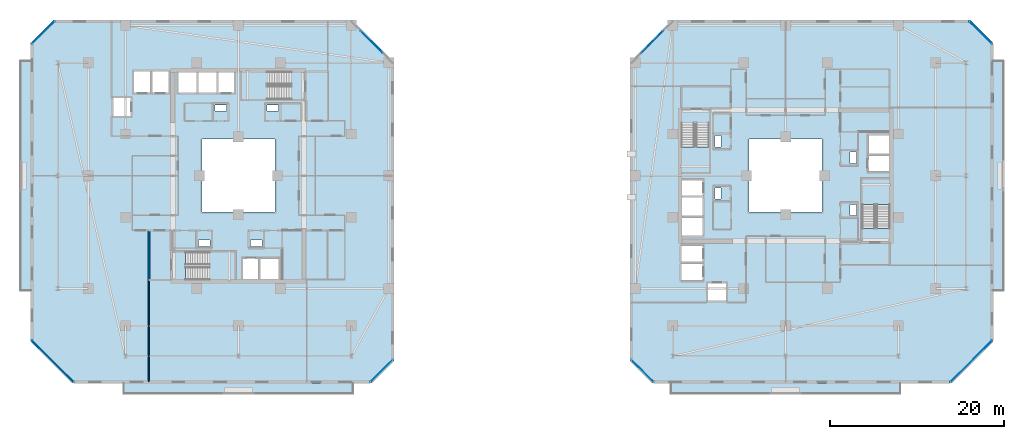
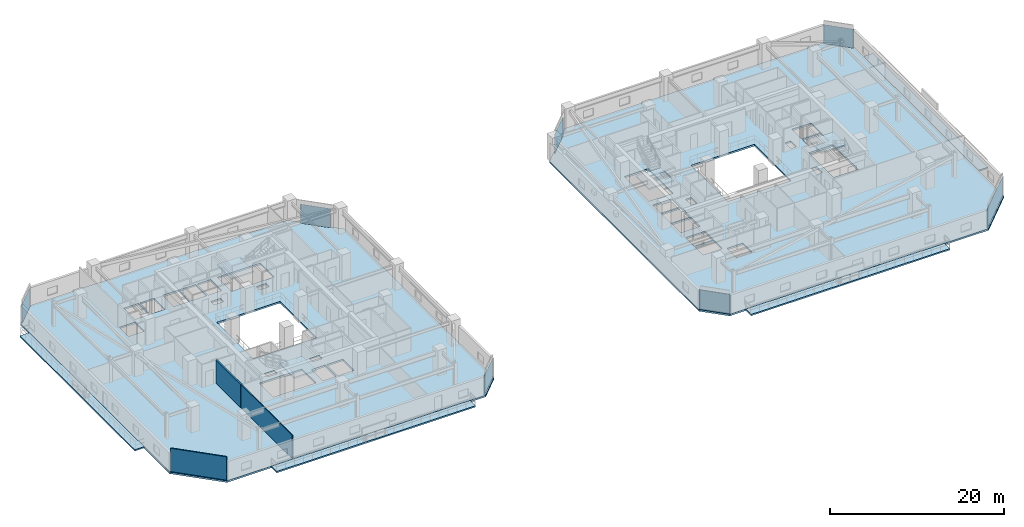
# One storey, part 17 of 34: 10 slabs, 8 plates, 3 walls, 12 elements without a shape of their own.
"""IFC4 building model written with IfcOpenShell, lengths in metres."""

from ifc_helpers import new_model, si_unit, direction, frame, frame_2d, origin, origin_2d, place, context, subcontext, project, spatial, polyline, rectangle, outline, extrude, material, layer, layer_set, type_object, element, aggregate, save


model = new_model("IFC4")

# Units and contexts
model_context = context("Model", 3, precision=1e-05, world=origin(), true_north=direction((0.0, 1.0)))
body_context = subcontext(model_context, "Body", "Model", "MODEL_VIEW")
ifc_project = project(units=[si_unit("LENGTHUNIT", "METRE"), si_unit("AREAUNIT", "SQUARE_METRE"), si_unit("VOLUMEUNIT", "CUBIC_METRE"), si_unit("PLANEANGLEUNIT", "RADIAN"), si_unit("MASSUNIT", "GRAM", prefix="KILO")], contexts=[model_context])

# Site, building, storey
site_placement = place(None, origin())
site = spatial("IfcSite", under=ifc_project, at=site_placement, CompositionType="ELEMENT")
building_placement = place(site_placement, origin())
building = spatial("IfcBuilding", under=site, at=building_placement, Name="Thornwick Lancets Civic Towers", CompositionType="ELEMENT")
storey_placement = place(building_placement, frame((0.0, 0.0, 137.699951171875)))
storey = spatial("IfcBuildingStorey", under=building, at=storey_placement, Name="L36", CompositionType="ELEMENT", Elevation=137.699951171875)

# Curtain wall, plate
ifc_material_1 = material(Name="Mid-zone chamfered-corner unitised glass curtain wall", Category="glass")
curtain_wall_type = type_object("IfcCurtainWallType", Name="CW_SYS_04", PredefinedType="NOTDEFINED", material=ifc_material_1)
curtain_wall_1_placement = place(storey_placement, origin())
curtain_wall_1 = element("IfcCurtainWall", 1, at=curtain_wall_1_placement, inside=storey, type_object=curtain_wall_type, Name="L36 Curtain Wall CW-L36-A-E1", PredefinedType="NOTDEFINED")
ifc_material_2 = material(Name="Low-e double glazing clear glass", Category="glass")
ifc_layer_1 = layer(ifc_material_2, 0.035888671875, Name="Low-e double glazing clear glass")
ifc_layer_set_1 = layer_set([ifc_layer_1], Name="Low-e double glazing clear glass")
plate_type = type_object("IfcPlateType", Name="CW_PNL_GLASS", PredefinedType="CURTAIN_PANEL", material=ifc_layer_set_1)
plate_1_placement = place(storey_placement, frame((41.972900390625, 4.527099609375, 0.0), z_axis=(0.0, 0.0, 1.0), x_axis=(0.707106781187, 0.707106781187, 0.0)))
plate_1 = element("IfcPlate", 2, at=plate_1_placement, type_object=plate_type, Name="CW-L36-A-E1 Panel 0", PredefinedType="CURTAIN_PANEL", context=body_context, shape_type="SweptSolid", body=[
    extrude(rectangle(XDim=3.649169921875, YDim=0.035888671875, at=origin_2d()), origin(), (0.0, 0.0, 1.0), 2.659912109375),
])
aggregate(curtain_wall_1, [plate_1])

curtain_wall_2_placement = place(storey_placement, origin())
curtain_wall_2 = element("IfcCurtainWall", 3, at=curtain_wall_2_placement, inside=storey, type_object=curtain_wall_type, Name="L36 Curtain Wall CW-L36-A-E3", PredefinedType="NOTDEFINED")
plate_2_placement = place(storey_placement, frame((40.8662109375, 42.3662109375, 0.0), z_axis=(0.0, 0.0, 1.0), x_axis=(-0.707106781187, 0.707106781187, 0.0)))
plate_2 = element("IfcPlate", 4, at=plate_2_placement, type_object=plate_type, Name="CW-L36-A-E3 Panel 0", PredefinedType="CURTAIN_PANEL", context=body_context, shape_type="SweptSolid", body=[
    extrude(rectangle(XDim=3.5771484375, YDim=0.035888671875, at=origin_2d()), origin(), (0.0, 0.0, 1.0), 2.659912109375),
])
aggregate(curtain_wall_2, [plate_2])

curtain_wall_3_placement = place(storey_placement, origin())
curtain_wall_3 = element("IfcCurtainWall", 5, at=curtain_wall_3_placement, inside=storey, type_object=curtain_wall_type, Name="L36 Curtain Wall CW-L36-A-E5", PredefinedType="NOTDEFINED")
plate_3_placement = place(storey_placement, frame((3.027099609375, 43.472900390625, 0.0), z_axis=(0.0, 0.0, 1.0), x_axis=(-0.707106781187, -0.707106781187, 0.0)))
plate_3 = element("IfcPlate", 6, at=plate_3_placement, type_object=plate_type, Name="CW-L36-A-E5 Panel 0", PredefinedType="CURTAIN_PANEL", context=body_context, shape_type="SweptSolid", body=[
    extrude(rectangle(XDim=3.649169921875, YDim=0.035888671875, at=origin_2d()), origin(), (0.0, 0.0, 1.0), 2.659912109375),
])
aggregate(curtain_wall_3, [plate_3])

curtain_wall_4_placement = place(storey_placement, origin())
curtain_wall_4 = element("IfcCurtainWall", 7, at=curtain_wall_4_placement, inside=storey, type_object=curtain_wall_type, Name="L36 Curtain Wall CW-L36-A-E7", PredefinedType="NOTDEFINED")
plate_4_placement = place(storey_placement, frame((4.1337890625, 5.6337890625, 0.0), z_axis=(0.0, 0.0, 1.0), x_axis=(0.707106781187, -0.707106781187, 0.0)))
plate_4 = element("IfcPlate", 8, at=plate_4_placement, type_object=plate_type, Name="CW-L36-A-E7 Panel 0", PredefinedType="CURTAIN_PANEL", context=body_context, shape_type="SweptSolid", body=[
    extrude(rectangle(XDim=6.759033203125, YDim=0.035888671875, at=origin_2d()), origin(), (0.0, 0.0, 1.0), 2.659912109375),
])
aggregate(curtain_wall_4, [plate_4])

curtain_wall_5_placement = place(storey_placement, origin())
curtain_wall_5 = element("IfcCurtainWall", 9, at=curtain_wall_5_placement, inside=storey, type_object=curtain_wall_type, Name="L36 Curtain Wall CW-L36-B-E1", PredefinedType="NOTDEFINED")
plate_5_placement = place(storey_placement, frame((109.8662109375, 5.6337890625, 0.0), z_axis=(0.0, 0.0, 1.0), x_axis=(0.707106781187, 0.707106781187, 0.0)))
plate_5 = element("IfcPlate", 10, at=plate_5_placement, type_object=plate_type, Name="CW-L36-B-E1 Panel 0", PredefinedType="CURTAIN_PANEL", context=body_context, shape_type="SweptSolid", body=[
    extrude(rectangle(XDim=6.759033203125, YDim=0.035888671875, at=origin_2d()), origin(), (0.0, 0.0, 1.0), 2.659912109375),
])
aggregate(curtain_wall_5, [plate_5])

curtain_wall_6_placement = place(storey_placement, origin())
curtain_wall_6 = element("IfcCurtainWall", 11, at=curtain_wall_6_placement, inside=storey, type_object=curtain_wall_type, Name="L36 Curtain Wall CW-L36-B-E3", PredefinedType="NOTDEFINED")
plate_6_placement = place(storey_placement, frame((110.972900390625, 43.472900390625, 0.0), z_axis=(0.0, 0.0, 1.0), x_axis=(-0.707106781187, 0.707106781187, 0.0)))
plate_6 = element("IfcPlate", 12, at=plate_6_placement, type_object=plate_type, Name="CW-L36-B-E3 Panel 0", PredefinedType="CURTAIN_PANEL", context=body_context, shape_type="SweptSolid", body=[
    extrude(rectangle(XDim=3.649169921875, YDim=0.035888671875, at=origin_2d()), origin(), (0.0, 0.0, 1.0), 2.659912109375),
])
aggregate(curtain_wall_6, [plate_6])

curtain_wall_7_placement = place(storey_placement, origin())
curtain_wall_7 = element("IfcCurtainWall", 13, at=curtain_wall_7_placement, inside=storey, type_object=curtain_wall_type, Name="L36 Curtain Wall CW-L36-B-E5", PredefinedType="NOTDEFINED")
plate_7_placement = place(storey_placement, frame((73.1337890625, 42.3662109375, 0.0), z_axis=(0.0, 0.0, 1.0), x_axis=(-0.707106781187, -0.707106781187, 0.0)))
plate_7 = element("IfcPlate", 14, at=plate_7_placement, type_object=plate_type, Name="CW-L36-B-E5 Panel 0", PredefinedType="CURTAIN_PANEL", context=body_context, shape_type="SweptSolid", body=[
    extrude(rectangle(XDim=3.5771484375, YDim=0.035888671875, at=origin_2d()), origin(), (0.0, 0.0, 1.0), 2.659912109375),
])
aggregate(curtain_wall_7, [plate_7])

curtain_wall_8_placement = place(storey_placement, origin())
curtain_wall_8 = element("IfcCurtainWall", 15, at=curtain_wall_8_placement, inside=storey, type_object=curtain_wall_type, Name="L36 Curtain Wall CW-L36-B-E7", PredefinedType="NOTDEFINED")
plate_8_placement = place(storey_placement, frame((72.027099609375, 4.527099609375, 0.0), z_axis=(0.0, 0.0, 1.0), x_axis=(0.707106781187, -0.707106781187, 0.0)))
plate_8 = element("IfcPlate", 16, at=plate_8_placement, type_object=plate_type, Name="CW-L36-B-E7 Panel 0", PredefinedType="CURTAIN_PANEL", context=body_context, shape_type="SweptSolid", body=[
    extrude(rectangle(XDim=3.649169921875, YDim=0.035888671875, at=origin_2d()), origin(), (0.0, 0.0, 1.0), 2.659912109375),
])
aggregate(curtain_wall_8, [plate_8])

# Slabs
ifc_material_3 = material(Name="Post-tensioned concrete C40/50", Category="concrete")
ifc_layer_2 = layer(ifc_material_3, 0.199951171875, Name="Post-tensioned concrete C40/50")
ifc_layer_set_2 = layer_set([ifc_layer_2], Name="Post-tensioned concrete C40/50")
slab_type_1 = type_object("IfcSlabType", Name="SLAB_BALCONY_200", PredefinedType="FLOOR", material=ifc_layer_set_2)
slab_1_placement = place(storey_placement, frame((0.0, 0.0, -0.199951171875)))
element("IfcSlab", 17, at=slab_1_placement, inside=storey, type_object=slab_type_1, Name="L36 Tower A Planted Balcony Slab W", PredefinedType="FLOOR", context=body_context, shape_type="SweptSolid", body=[
    extrude(outline(polyline([(0.35009765625, 13.800048828125), (1.60009765625, 13.800048828125), (1.60009765625, 40.199951171875), (0.35009765625, 40.199951171875), (0.35009765625, 13.800048828125)])), origin(), (0.0, 0.0, 1.0), 0.199951171875),
])
slab_2_placement = place(storey_placement, frame((0.0, 0.0, -0.199951171875)))
element("IfcSlab", 18, at=slab_2_placement, inside=storey, type_object=slab_type_1, Name="L36 Tower A Planted Balcony Slab S", PredefinedType="FLOOR", context=body_context, shape_type="SweptSolid", body=[
    extrude(outline(polyline([(12.300048828125, 1.85009765625), (38.699951171875, 1.85009765625), (38.699951171875, 3.10009765625), (12.300048828125, 3.10009765625), (12.300048828125, 1.85009765625)])), origin(), (0.0, 0.0, 1.0), 0.199951171875),
])
slab_3_placement = place(storey_placement, frame((0.0, 0.0, -0.199951171875)))
element("IfcSlab", 19, at=slab_3_placement, inside=storey, type_object=slab_type_1, Name="L36 Tower B Planted Balcony Slab E", PredefinedType="FLOOR", context=body_context, shape_type="SweptSolid", body=[
    extrude(outline(polyline([(112.39990234375, 13.800048828125), (113.64990234375, 13.800048828125), (113.64990234375, 40.199951171875), (112.39990234375, 40.199951171875), (112.39990234375, 13.800048828125)])), origin(), (0.0, 0.0, 1.0), 0.199951171875),
])
slab_4_placement = place(storey_placement, frame((0.0, 0.0, -0.199951171875)))
element("IfcSlab", 20, at=slab_4_placement, inside=storey, type_object=slab_type_1, Name="L36 Tower B Planted Balcony Slab S", PredefinedType="FLOOR", context=body_context, shape_type="SweptSolid", body=[
    extrude(outline(polyline([(75.300048828125, 1.85009765625), (101.699951171875, 1.85009765625), (101.699951171875, 3.10009765625), (75.300048828125, 3.10009765625), (75.300048828125, 1.85009765625)])), origin(), (0.0, 0.0, 1.0), 0.199951171875),
])

# Stair, slab
ifc_material_4 = material(Name="Concrete C40/50", Category="concrete")
stair_type = type_object("IfcStairType", Name="STAIR_DL_3600", PredefinedType="HALF_TURN_STAIR", material=ifc_material_4)
stair_1_placement = place(storey_placement, origin())
stair_1 = element("IfcStair", 21, at=stair_1_placement, inside=storey, type_object=stair_type, Name="L36 Tower A South Exit Stair ST-A1", PredefinedType="HALF_TURN_STAIR")
ifc_layer_3 = layer(ifc_material_4, 0.25, Name="Concrete C40/50")
ifc_layer_set_3 = layer_set([ifc_layer_3], Name="Concrete C40/50")
slab_type_2 = type_object("IfcSlabType", Name="SLAB_LANDING_200", PredefinedType="LANDING", material=ifc_layer_set_3)
slab_5_placement = place(storey_placement, frame((0.0, 0.0, 1.60302734375)))
slab_5 = element("IfcSlab", 22, at=slab_5_placement, type_object=slab_type_2, Name="ST-A1 landing 1", PredefinedType="LANDING", context=body_context, shape_type="SweptSolid", body=[
    extrude(outline(polyline([(22.169921875, 14.93994140625), (25.14990234375, 14.93994140625), (25.14990234375, 18.260009765625), (22.169921875, 18.260009765625), (22.169921875, 14.93994140625)])), origin(), (0.0, 0.0, 1.0), 0.199951171875),
])
aggregate(stair_1, [slab_5])

stair_2_placement = place(storey_placement, origin())
stair_2 = element("IfcStair", 23, at=stair_2_placement, inside=storey, type_object=stair_type, Name="L36 Tower A North Exit Stair ST-A2", PredefinedType="HALF_TURN_STAIR")
slab_6_placement = place(storey_placement, frame((0.0, 0.0, 1.60302734375)))
slab_6 = element("IfcSlab", 24, at=slab_6_placement, type_object=slab_type_2, Name="ST-A2 landing 1", PredefinedType="LANDING", context=body_context, shape_type="SweptSolid", body=[
    extrude(outline(polyline([(28.830078125, 39.06005859375), (25.85009765625, 39.06005859375), (25.85009765625, 35.739990234375), (28.830078125, 35.739990234375), (28.830078125, 39.06005859375)])), origin(), (0.0, 0.0, 1.0), 0.199951171875),
])
aggregate(stair_2, [slab_6])

stair_3_placement = place(storey_placement, origin())
stair_3 = element("IfcStair", 25, at=stair_3_placement, inside=storey, type_object=stair_type, Name="L36 Tower B East Exit Stair ST-B1", PredefinedType="HALF_TURN_STAIR")
slab_7_placement = place(storey_placement, frame((0.0, 0.0, 1.60302734375)))
slab_7 = element("IfcSlab", 26, at=slab_7_placement, type_object=slab_type_2, Name="ST-B1 landing 1", PredefinedType="LANDING", context=body_context, shape_type="SweptSolid", body=[
    extrude(outline(polyline([(100.56005859375, 23.669921875), (100.56005859375, 26.64990234375), (97.239990234375, 26.64990234375), (97.239990234375, 23.669921875), (100.56005859375, 23.669921875)])), origin(), (0.0, 0.0, 1.0), 0.199951171875),
])
aggregate(stair_3, [slab_7])

stair_4_placement = place(storey_placement, origin())
stair_4 = element("IfcStair", 27, at=stair_4_placement, inside=storey, type_object=stair_type, Name="L36 Tower B West Exit Stair ST-B2", PredefinedType="HALF_TURN_STAIR")
slab_8_placement = place(storey_placement, frame((0.0, 0.0, 1.60302734375)))
slab_8 = element("IfcSlab", 28, at=slab_8_placement, type_object=slab_type_2, Name="ST-B2 landing 1", PredefinedType="LANDING", context=body_context, shape_type="SweptSolid", body=[
    extrude(outline(polyline([(76.43994140625, 30.330078125), (76.43994140625, 27.35009765625), (79.760009765625, 27.35009765625), (79.760009765625, 30.330078125), (76.43994140625, 30.330078125)])), origin(), (0.0, 0.0, 1.0), 0.199951171875),
])
aggregate(stair_4, [slab_8])

# Slabs
ifc_layer_4 = layer(ifc_material_3, 0.239990234375, Name="Post-tensioned concrete C40/50")
ifc_layer_set_4 = layer_set([ifc_layer_4], Name="Post-tensioned concrete C40/50")
slab_type_3 = type_object("IfcSlabType", Name="SLAB_PT_240", PredefinedType="FLOOR", material=ifc_layer_set_4)
slab_9_placement = place(storey_placement, frame((0.0, 0.0, -0.239990234375)))
element("IfcSlab", 29, at=slab_9_placement, inside=storey, type_object=slab_type_3, Name="L36 Tower A Floor Slab", PredefinedType="FLOOR", context=body_context, shape_type="SweptSolid", body=[
    extrude(outline(polyline([(6.4150390625, 3.10009765625), (40.800048828125, 3.10009765625), (43.39990234375, 5.699951171875), (43.39990234375, 40.0849609375), (38.5849609375, 44.89990234375), (4.199951171875, 44.89990234375), (1.60009765625, 42.300048828125), (1.60009765625, 7.9150390625), (6.4150390625, 3.10009765625)]), holes=[polyline([(21.300048828125, 22.800048828125), (29.699951171875, 22.800048828125), (29.699951171875, 31.199951171875), (21.300048828125, 31.199951171875), (21.300048828125, 22.800048828125)]), polyline([(19.429931640625, 15.0), (25.10009765625, 15.0), (25.10009765625, 18.199951171875), (19.429931640625, 18.199951171875), (19.429931640625, 15.0)]), polyline([(31.570068359375, 39.0), (25.89990234375, 39.0), (25.89990234375, 35.800048828125), (31.570068359375, 35.800048828125), (31.570068359375, 39.0)]), polyline([(26.0, 15.0), (27.800048828125, 15.0), (27.800048828125, 17.550048828125), (26.0, 17.550048828125), (26.0, 15.0)]), polyline([(28.0, 15.0), (30.14990234375, 15.0), (30.14990234375, 17.550048828125), (28.0, 17.550048828125), (28.0, 15.0)]), polyline([(23.199951171875, 36.449951171875), (25.0, 36.449951171875), (25.0, 39.0), (23.199951171875, 39.0), (23.199951171875, 36.449951171875)]), polyline([(20.85009765625, 36.449951171875), (23.0, 36.449951171875), (23.0, 39.0), (20.85009765625, 39.0), (20.85009765625, 36.449951171875)]), polyline([(18.60009765625, 36.449951171875), (20.699951171875, 36.449951171875), (20.699951171875, 39.0), (18.60009765625, 39.0), (18.60009765625, 36.449951171875)]), polyline([(15.550048828125, 36.449951171875), (17.449951171875, 36.449951171875), (17.449951171875, 39.0), (15.550048828125, 39.0), (15.550048828125, 36.449951171875)]), polyline([(13.449951171875, 36.449951171875), (15.39990234375, 36.449951171875), (15.39990234375, 39.0), (13.449951171875, 39.0), (13.449951171875, 36.449951171875)]), polyline([(11.10009765625, 33.85009765625), (13.199951171875, 33.85009765625), (13.199951171875, 35.949951171875), (11.10009765625, 35.949951171875), (11.10009765625, 33.85009765625)]), polyline([(26.89990234375, 18.85009765625), (28.199951171875, 18.85009765625), (28.199951171875, 19.580078125), (26.89990234375, 19.580078125), (26.89990234375, 18.85009765625)]), polyline([(20.89990234375, 18.85009765625), (22.199951171875, 18.85009765625), (22.199951171875, 19.580078125), (20.89990234375, 19.580078125), (20.89990234375, 18.85009765625)]), polyline([(22.800048828125, 34.419921875), (24.10009765625, 34.419921875), (24.10009765625, 35.14990234375), (22.800048828125, 35.14990234375), (22.800048828125, 34.419921875)]), polyline([(28.800048828125, 34.419921875), (30.10009765625, 34.419921875), (30.10009765625, 35.14990234375), (28.800048828125, 35.14990234375), (28.800048828125, 34.419921875)])]), origin(), (0.0, 0.0, 1.0), 0.239990234375),
])
slab_10_placement = place(storey_placement, frame((0.0, 0.0, -0.239990234375)))
element("IfcSlab", 30, at=slab_10_placement, inside=storey, type_object=slab_type_3, Name="L36 Tower B Floor Slab", PredefinedType="FLOOR", context=body_context, shape_type="SweptSolid", body=[
    extrude(outline(polyline([(73.199951171875, 3.10009765625), (107.5849609375, 3.10009765625), (112.39990234375, 7.9150390625), (112.39990234375, 42.300048828125), (109.800048828125, 44.89990234375), (75.4150390625, 44.89990234375), (70.60009765625, 40.0849609375), (70.60009765625, 5.699951171875), (73.199951171875, 3.10009765625)]), holes=[polyline([(84.300048828125, 22.800048828125), (92.699951171875, 22.800048828125), (92.699951171875, 31.199951171875), (84.300048828125, 31.199951171875), (84.300048828125, 22.800048828125)]), polyline([(100.5, 20.929931640625), (100.5, 26.60009765625), (97.300048828125, 26.60009765625), (97.300048828125, 20.929931640625), (100.5, 20.929931640625)]), polyline([(76.5, 33.070068359375), (76.5, 27.39990234375), (79.699951171875, 27.39990234375), (79.699951171875, 33.070068359375), (76.5, 33.070068359375)]), polyline([(97.949951171875, 27.5), (100.5, 27.5), (100.5, 29.300048828125), (97.949951171875, 29.300048828125), (97.949951171875, 27.5)]), polyline([(97.949951171875, 29.5), (100.5, 29.5), (100.5, 31.64990234375), (97.949951171875, 31.64990234375), (97.949951171875, 29.5)]), polyline([(76.5, 24.699951171875), (79.050048828125, 24.699951171875), (79.050048828125, 26.5), (76.5, 26.5), (76.5, 24.699951171875)]), polyline([(76.5, 22.35009765625), (79.050048828125, 22.35009765625), (79.050048828125, 24.5), (76.5, 24.5), (76.5, 22.35009765625)]), polyline([(76.5, 20.10009765625), (79.050048828125, 20.10009765625), (79.050048828125, 22.199951171875), (76.5, 22.199951171875), (76.5, 20.10009765625)]), polyline([(76.5, 17.050048828125), (79.050048828125, 17.050048828125), (79.050048828125, 18.949951171875), (76.5, 18.949951171875), (76.5, 17.050048828125)]), polyline([(76.5, 14.949951171875), (79.050048828125, 14.949951171875), (79.050048828125, 16.89990234375), (76.5, 16.89990234375), (76.5, 14.949951171875)]), polyline([(79.550048828125, 12.60009765625), (81.64990234375, 12.60009765625), (81.64990234375, 14.699951171875), (79.550048828125, 14.699951171875), (79.550048828125, 12.60009765625)]), polyline([(95.919921875, 28.39990234375), (96.64990234375, 28.39990234375), (96.64990234375, 29.699951171875), (95.919921875, 29.699951171875), (95.919921875, 28.39990234375)]), polyline([(95.919921875, 22.39990234375), (96.64990234375, 22.39990234375), (96.64990234375, 23.699951171875), (95.919921875, 23.699951171875), (95.919921875, 22.39990234375)]), polyline([(80.35009765625, 24.300048828125), (81.080078125, 24.300048828125), (81.080078125, 25.60009765625), (80.35009765625, 25.60009765625), (80.35009765625, 24.300048828125)]), polyline([(80.35009765625, 30.300048828125), (81.080078125, 30.300048828125), (81.080078125, 31.60009765625), (80.35009765625, 31.60009765625), (80.35009765625, 30.300048828125)])]), origin(), (0.0, 0.0, 1.0), 0.239990234375),
])

# Walls
ifc_material_5 = material(Name="Concrete blockwork C40/50", Category="masonry")
ifc_layer_5 = layer(ifc_material_5, 0.199951171875, Name="Concrete blockwork C40/50")
ifc_layer_set_5 = layer_set([ifc_layer_5], Name="Concrete blockwork C40/50")
wall_type_1 = type_object("IfcWallType", Name="WALL_COMP_200", PredefinedType="STANDARD", material=ifc_layer_set_5)
wall_1_placement = place(storey_placement, frame((15.199951171875, 20.699951171875, 0.0), z_axis=(0.0, 0.0, 1.0), x_axis=(0.0, -1.0, 0.0)))
element("IfcWall", 31, at=wall_1_placement, inside=storey, type_object=wall_type_1, Name="L36 Partition L36-A-FFLOB1 E4", PredefinedType="STANDARD", context=body_context, shape_type="SweptSolid", body=[
    extrude(rectangle(XDim=5.699951171875, YDim=0.199951171875, at=frame_2d((2.85009765625, 0.0))), origin(), (0.0, 0.0, 1.0), 3.260009765625),
])
ifc_material_6 = material(Name="Acoustic gypsum board partition")
ifc_layer_6 = layer(ifc_material_6, 0.1201171875, Name="Acoustic gypsum board partition")
ifc_layer_set_6 = layer_set([ifc_layer_6], Name="Acoustic gypsum board partition")
wall_type_2 = type_object("IfcWallType", Name="WALL_PART_120", PredefinedType="PARTITIONING", material=ifc_layer_set_6)
wall_2_placement = place(storey_placement, frame((15.199951171875, 15.0, 0.0), z_axis=(0.0, 0.0, 1.0), x_axis=(0.0, -1.0, 0.0)))
element("IfcWall", 32, at=wall_2_placement, inside=storey, type_object=wall_type_2, Name="L36 Partition L36-A-W1 E4", PredefinedType="PARTITIONING", context=body_context, shape_type="SweptSolid", body=[
    extrude(rectangle(XDim=11.719970703125, YDim=0.1201171875, at=frame_2d((5.85986328125, 0.0))), origin(), (0.0, 0.0, 1.0), 3.260009765625),
])
wall_3_placement = place(storey_placement, frame((6.489501953125, 3.280029296875, 0.0), z_axis=(0.0, 0.0, 1.0), x_axis=(-0.707106781187, 0.707106781187, 0.0)))
element("IfcWall", 33, at=wall_3_placement, inside=storey, type_object=wall_type_2, Name="L36 Partition L36-A-W1 E6", PredefinedType="PARTITIONING", context=body_context, shape_type="SweptSolid", body=[
    extrude(rectangle(XDim=6.66015625, YDim=0.1201171875, at=frame_2d((3.330078125, 0.0))), origin(), (0.0, 0.0, 1.0), 3.260009765625),
])

save(model, "model.ifc")
